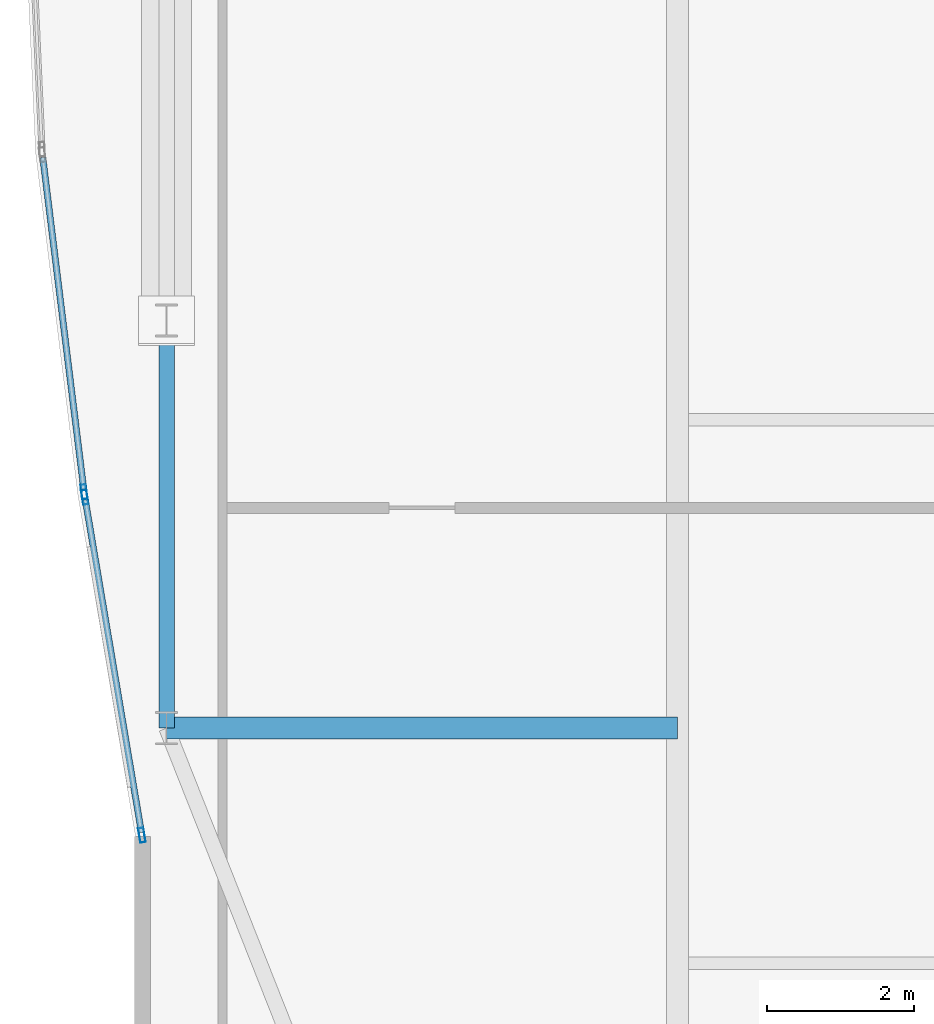
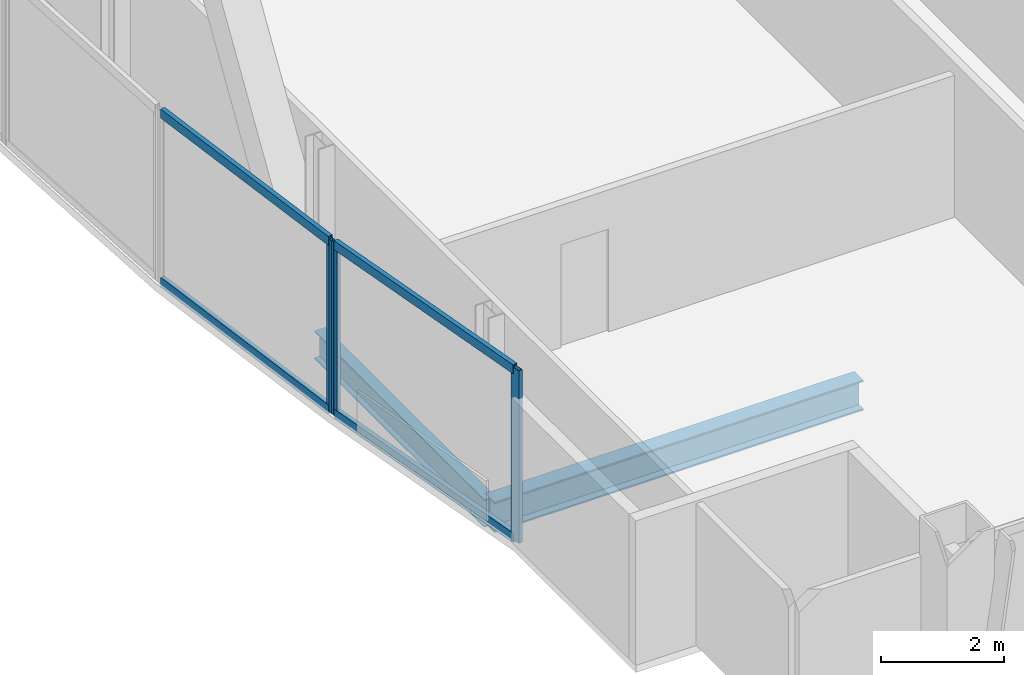
# One storey, part 5 of 29: 7 members, 2 beams, 2 elements without a shape of their own.
"""IFC4 building model written with IfcOpenShell, lengths in metres."""

from ifc_helpers import new_model, si_unit, direction, frame, origin, origin_2d, place, context, subcontext, project, spatial, hollow_rectangle, i_section, extrude, material, material_profile, profile_set, type_object, element, aggregate, save


model = new_model("IFC4")

# Units and contexts
model_context = context("Model", 3, precision=1e-05, world=origin(), true_north=direction((0.0, 1.0)))
body_context = subcontext(model_context, "Body", "Model", "MODEL_VIEW")
ifc_project = project(units=[si_unit("LENGTHUNIT", "METRE"), si_unit("AREAUNIT", "SQUARE_METRE"), si_unit("VOLUMEUNIT", "CUBIC_METRE"), si_unit("PLANEANGLEUNIT", "RADIAN"), si_unit("MASSUNIT", "GRAM", prefix="KILO")], contexts=[model_context])

# Site, building, storey
site_placement = place(None, origin())
site = spatial("IfcSite", under=ifc_project, at=site_placement, CompositionType="ELEMENT")
building_placement = place(site_placement, origin())
building = spatial("IfcBuilding", under=site, at=building_placement, Name="Khoronbel Lancet Exchange", CompositionType="ELEMENT")
storey_placement = place(building_placement, frame((0.0, 0.0, 336.199951171875)))
storey = spatial("IfcBuildingStorey", under=building, at=storey_placement, Name="L87", CompositionType="ELEMENT", Elevation=336.199951171875)

# Beams
ifc_material_1 = material(Name="Steel S355", Category="steel")
ifc_material_profile_1 = material_profile(ifc_material_1, i_section(OverallWidth=0.300048828125, OverallDepth=0.60009765625, WebThickness=0.015380859375, FlangeThickness=0.030029296875, at=origin_2d()), Name="HEB 600")
ifc_profile_set_1 = profile_set([ifc_material_profile_1], Name="Steel S355")
beam_type_1 = type_object("IfcBeamType", Name="BM-BG5", PredefinedType="BEAM", material=ifc_profile_set_1)
beam_1_placement = place(storey_placement, frame((11.27001953125, 19.199951171875, -0.4599609375), z_axis=(1.0, 0.0, 0.0), x_axis=(0.0, 1.0, 0.0)))
element("IfcBeam", 1, at=beam_1_placement, inside=storey, type_object=beam_type_1, Name="Level L87 west lens tie girder LG1W", PredefinedType="BEAM", context=body_context, shape_type="SweptSolid", body=[
    extrude(i_section(OverallWidth=0.300048828125, OverallDepth=0.60009765625, WebThickness=0.015380859375, FlangeThickness=0.030029296875, at=origin_2d()), origin(), (0.0, 0.0, 1.0), 6.955078125),
])
ifc_material_profile_2 = material_profile(ifc_material_1, i_section(OverallWidth=0.2099609375, OverallDepth=0.550048828125, WebThickness=0.010986328125, FlangeThickness=0.01708984375, at=origin_2d()), Name="IPE 550")
ifc_profile_set_2 = profile_set([ifc_material_profile_2], Name="Steel S355")
beam_type_2 = type_object("IfcBeamType", Name="BM-BSP3", PredefinedType="SPANDREL", material=ifc_profile_set_2)
beam_2_placement = place(storey_placement, frame((11.27001953125, 24.75, -0.43505859375), z_axis=(0.0, -1.0, 0.0), x_axis=(1.0, 0.0, 0.0)))
element("IfcBeam", 2, at=beam_2_placement, inside=storey, type_object=beam_type_2, Name="Level L87 perimeter spandrel beam SP18", PredefinedType="SPANDREL", context=body_context, shape_type="SweptSolid", body=[
    extrude(i_section(OverallWidth=0.2099609375, OverallDepth=0.550048828125, WebThickness=0.010986328125, FlangeThickness=0.01708984375, at=origin_2d()), origin(), (0.0, 0.0, 1.0), 5.550048828125),
])

# Curtain wall, members
ifc_material_2 = material(Name="Low-E Solar Control Insulating Glass", Category="glass")
curtain_wall_type = type_object("IfcCurtainWallType", Name="CW-4", PredefinedType="NOTDEFINED", material=ifc_material_2)
curtain_wall_1_placement = place(storey_placement, origin())
curtain_wall_1 = element("IfcCurtainWall", 3, at=curtain_wall_1_placement, inside=storey, type_object=curtain_wall_type, Name="Unitised curtain wall CW-L87-E04", PredefinedType="NOTDEFINED")
ifc_material_3 = material(Name="Bronze-Anodised Aluminium 6063-T6", Category="aluminium")
ifc_material_profile_3 = material_profile(ifc_material_3, hollow_rectangle(XDim=0.074951171875, YDim=0.199951171875, WallThickness=0.0048828125, at=origin_2d()), Name="ALU MULLION 75x200")
ifc_profile_set_3 = profile_set([ifc_material_profile_3], Name="Bronze-Anodised Aluminium 6063-T6")
member_type_1 = type_object("IfcMemberType", Name="MEM-CWM2", PredefinedType="MULLION", material=ifc_profile_set_3)
member_1_placement = place(storey_placement, frame((10.933837890625, 17.744384765625, 0.0), z_axis=(0.0, 0.0, 1.0), x_axis=(-0.986059939458, -0.166390491902, 0.0)))
member_1 = element("IfcMember", 4, at=member_1_placement, type_object=member_type_1, Name="CW4 mullion 1", PredefinedType="MULLION", context=body_context, shape_type="SweptSolid", body=[
    extrude(hollow_rectangle(XDim=0.074951171875, YDim=0.199951171875, WallThickness=0.0048828125, at=origin_2d()), origin(), (0.0, 0.0, 1.0), 3.43994140625),
])
member_2_placement = place(storey_placement, frame((10.157958984375, 22.3427734375, 0.0), z_axis=(0.0, 0.0, 1.0), x_axis=(-0.986059939458, -0.166390491902, 0.0)))
member_2 = element("IfcMember", 5, at=member_2_placement, type_object=member_type_1, Name="CW4 mullion 2", PredefinedType="MULLION", context=body_context, shape_type="SweptSolid", body=[
    extrude(hollow_rectangle(XDim=0.074951171875, YDim=0.199951171875, WallThickness=0.0048828125, at=origin_2d()), origin(), (0.0, 0.0, 1.0), 3.43994140625),
])

# Curtain wall, member
curtain_wall_2_placement = place(storey_placement, origin())
curtain_wall_2 = element("IfcCurtainWall", 6, at=curtain_wall_2_placement, inside=storey, type_object=curtain_wall_type, Name="Unitised curtain wall CW-L87-E05", PredefinedType="NOTDEFINED")
member_3_placement = place(storey_placement, frame((10.14697265625, 22.4169921875, 0.0), z_axis=(0.0, 0.0, 1.0), x_axis=(-0.992456344352, -0.122598550384, 0.0)))
member_3 = element("IfcMember", 7, at=member_3_placement, type_object=member_type_1, Name="CW4 mullion 1", PredefinedType="MULLION", context=body_context, shape_type="SweptSolid", body=[
    extrude(hollow_rectangle(XDim=0.074951171875, YDim=0.199951171875, WallThickness=0.0048828125, at=origin_2d()), origin(), (0.0, 0.0, 1.0), 3.43994140625),
])

# Member
ifc_material_profile_4 = material_profile(ifc_material_3, hollow_rectangle(XDim=0.0849609375, YDim=0.179931640625, WallThickness=0.0048828125, at=origin_2d()), Name="ALU TRANSOM 85x180")
ifc_profile_set_4 = profile_set([ifc_material_profile_4], Name="Bronze-Anodised Aluminium 6063-T6")
member_type_2 = type_object("IfcMemberType", Name="MEM-CWT1", PredefinedType="USERDEFINED", material=ifc_profile_set_4)
member_4_placement = place(storey_placement, frame((10.927490234375, 17.781494140625, 0.04248046875), z_axis=(-0.1663919204, 0.986059698409, 0.0), x_axis=(-0.986059698409, -0.1663919204, 0.0)))
member_4 = element("IfcMember", 8, at=member_4_placement, type_object=member_type_2, Name="CW4 transom 1.1", ObjectType="TRANSOM", PredefinedType="USERDEFINED", context=body_context, shape_type="SweptSolid", body=[
    extrude(hollow_rectangle(XDim=0.0849609375, YDim=0.179931640625, WallThickness=0.0048828125, at=origin_2d()), origin(), (0.0, 0.0, 1.0), 4.588134765625),
])

member_5_placement = place(storey_placement, frame((10.927490234375, 17.781494140625, 3.3974609375), z_axis=(-0.1663919204, 0.986059698409, 0.0), x_axis=(-0.986059698409, -0.1663919204, 0.0)))
member_5 = element("IfcMember", 9, at=member_5_placement, type_object=member_type_2, Name="CW4 transom 1.2", ObjectType="TRANSOM", PredefinedType="USERDEFINED", context=body_context, shape_type="SweptSolid", body=[
    extrude(hollow_rectangle(XDim=0.0849609375, YDim=0.179931640625, WallThickness=0.0048828125, at=origin_2d()), origin(), (0.0, 0.0, 1.0), 4.588134765625),
])

aggregate(curtain_wall_1, [member_1, member_2, member_4, member_5])

member_6_placement = place(storey_placement, frame((10.142333984375, 22.4541015625, 0.04248046875), z_axis=(-0.122587296853, 0.99245773444, 0.0), x_axis=(-0.99245773444, -0.122587296853, 0.0)))
member_6 = element("IfcMember", 10, at=member_6_placement, type_object=member_type_2, Name="CW4 transom 1.1", ObjectType="TRANSOM", PredefinedType="USERDEFINED", context=body_context, shape_type="SweptSolid", body=[
    extrude(hollow_rectangle(XDim=0.0849609375, YDim=0.179931640625, WallThickness=0.0048828125, at=origin_2d()), origin(), (0.0, 0.0, 1.0), 4.546630859375),
])

member_7_placement = place(storey_placement, frame((10.142333984375, 22.4541015625, 3.3974609375), z_axis=(-0.122587296853, 0.99245773444, 0.0), x_axis=(-0.99245773444, -0.122587296853, 0.0)))
member_7 = element("IfcMember", 11, at=member_7_placement, type_object=member_type_2, Name="CW4 transom 1.2", ObjectType="TRANSOM", PredefinedType="USERDEFINED", context=body_context, shape_type="SweptSolid", body=[
    extrude(hollow_rectangle(XDim=0.0849609375, YDim=0.179931640625, WallThickness=0.0048828125, at=origin_2d()), origin(), (0.0, 0.0, 1.0), 4.546630859375),
])

aggregate(curtain_wall_2, [member_3, member_6, member_7])

save(model, "model.ifc")
